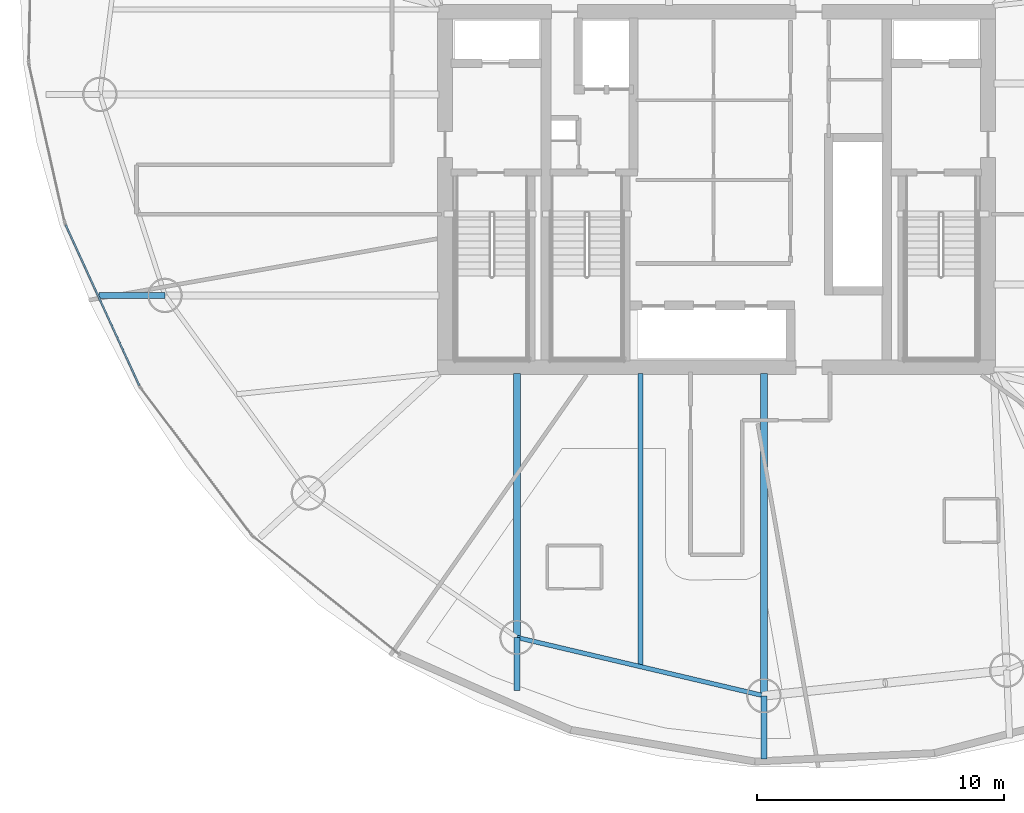
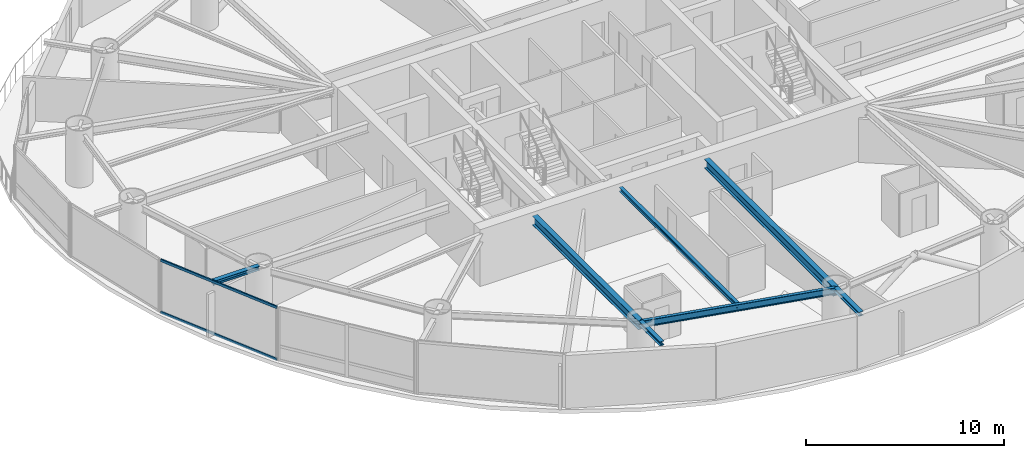
# One storey, part 4 of 20: 7 beams, 2 members, 1 element without a shape of its own.
"""IFC4 building model written with IfcOpenShell, lengths in metres."""

from ifc_helpers import new_model, si_unit, direction, frame, origin, origin_2d, place, context, subcontext, project, spatial, hollow_rectangle, i_section, extrude, material, layer, layer_set, material_profile, profile_set, type_object, element, aggregate, save


model = new_model("IFC4")

# Units and contexts
model_context = context("Model", 3, precision=1e-05, world=origin(), true_north=direction((0.0, 1.0)))
body_context = subcontext(model_context, "Body", "Model", "MODEL_VIEW")
ifc_project = project(units=[si_unit("LENGTHUNIT", "METRE"), si_unit("AREAUNIT", "SQUARE_METRE"), si_unit("VOLUMEUNIT", "CUBIC_METRE"), si_unit("PLANEANGLEUNIT", "RADIAN"), si_unit("MASSUNIT", "GRAM", prefix="KILO")], contexts=[model_context])

# Site, building, storey
site_placement = place(None, origin())
site = spatial("IfcSite", under=ifc_project, at=site_placement, CompositionType="ELEMENT")
building_placement = place(site_placement, origin())
building = spatial("IfcBuilding", under=site, at=building_placement, Name="Bramvorn Convention Spire", CompositionType="ELEMENT")
storey_placement = place(building_placement, frame((0.0, 0.0, 155.300048828125)))
storey = spatial("IfcBuildingStorey", under=building, at=storey_placement, Name="L39", CompositionType="ELEMENT", Elevation=155.300048828125)

# Beams
ifc_material_1 = material(Name="Steel CSA G40.21 Grade 350 (350W)", Category="steel")
ifc_material_profile_1 = material_profile(ifc_material_1, i_section(OverallWidth=0.201904296875, OverallDepth=0.2470703125, WebThickness=0.00732421875, FlangeThickness=0.010986328125, FilletRadius=0.011962890625, at=origin_2d()))
ifc_profile_set_1 = profile_set([ifc_material_profile_1], Name="Steel CSA G40.21 Grade 350 (350W) - W250X49")
beam_type_1 = type_object("IfcBeamType", Name="BM-W250X49", PredefinedType="JOIST", material=ifc_profile_set_1)
beam_1_placement = place(storey_placement, frame((34.920654296875, 18.550048828125, 3.136474609375), z_axis=(0.0, -1.0, 0.0), x_axis=(1.0, 0.0, 0.0)))
element("IfcBeam", 1, at=beam_1_placement, inside=storey, type_object=beam_type_1, Name="L39 composite floor joist 13", PredefinedType="JOIST", context=body_context, shape_type="SweptSolid", body=[
    extrude(i_section(OverallWidth=0.201904296875, OverallDepth=0.2470703125, WebThickness=0.00732421875, FlangeThickness=0.010986328125, FilletRadius=0.011962890625, at=origin_2d()), origin(), (0.0, 0.0, 1.0), 11.8857421875),
])
ifc_material_profile_2 = material_profile(ifc_material_1, i_section(OverallWidth=0.25390625, OverallDepth=0.2529296875, WebThickness=0.008544921875, FlangeThickness=0.01416015625, FilletRadius=0.011962890625, at=origin_2d()))
ifc_profile_set_2 = profile_set([ifc_material_profile_2], Name="Steel CSA G40.21 Grade 350 (350W) - W250X73")
beam_type_2 = type_object("IfcBeamType", Name="BM-W250X73", PredefinedType="BEAM", material=ifc_profile_set_2)
beam_2_placement = place(storey_placement, frame((15.654296875, 21.706787109375, 3.133544921875), z_axis=(-1.0, 0.0, 0.0), x_axis=(0.0, -1.0, 0.0)))
element("IfcBeam", 2, at=beam_2_placement, inside=storey, type_object=beam_type_2, Name="L39 slab-edge cantilever tip beam MC11", PredefinedType="BEAM", context=body_context, shape_type="SweptSolid", body=[
    extrude(i_section(OverallWidth=0.25390625, OverallDepth=0.2529296875, WebThickness=0.008544921875, FlangeThickness=0.01416015625, FilletRadius=0.011962890625, at=origin_2d()), origin(), (0.0, 0.0, 1.0), 2.681884765625),
])
beam_3_placement = place(storey_placement, frame((29.917236328125, 7.845947265625, 3.133544921875), z_axis=(0.0, -1.0, 0.0), x_axis=(1.0, 0.0, 0.0)))
element("IfcBeam", 3, at=beam_3_placement, inside=storey, type_object=beam_type_2, Name="L39 slab-edge cantilever tip beam MC13", PredefinedType="BEAM", context=body_context, shape_type="SweptSolid", body=[
    extrude(i_section(OverallWidth=0.25390625, OverallDepth=0.2529296875, WebThickness=0.008544921875, FlangeThickness=0.01416015625, FilletRadius=0.011962890625, at=origin_2d()), origin(), (0.0, 0.0, 1.0), 2.144287109375),
])
beam_4_placement = place(storey_placement, frame((39.924072265625, 5.482666015625, 3.133544921875), z_axis=(0.0, -1.0, 0.0), x_axis=(1.0, 0.0, 0.0)))
element("IfcBeam", 4, at=beam_4_placement, inside=storey, type_object=beam_type_2, Name="L39 slab-edge cantilever tip beam MC14", PredefinedType="BEAM", context=body_context, shape_type="SweptSolid", body=[
    extrude(i_section(OverallWidth=0.25390625, OverallDepth=0.2529296875, WebThickness=0.008544921875, FlangeThickness=0.01416015625, FilletRadius=0.011962890625, at=origin_2d()), origin(), (0.0, 0.0, 1.0), 2.55224609375),
])
ifc_material_profile_3 = material_profile(ifc_material_1, i_section(OverallWidth=0.180908203125, OverallDepth=0.4169921875, WebThickness=0.010986328125, FlangeThickness=0.018310546875, FilletRadius=0.01611328125, at=origin_2d()))
ifc_profile_set_3 = profile_set([ifc_material_profile_3], Name="Steel CSA G40.21 Grade 350 (350W) - W410X85")
beam_type_3 = type_object("IfcBeamType", Name="BM-W410X85", PredefinedType="JOIST", material=ifc_profile_set_3)
beam_5_placement = place(storey_placement, frame((29.917236328125, 7.845947265625, 3.051513671875), z_axis=(0.97322750491, -0.229843911572, 0.0), x_axis=(0.229843911572, 0.97322750491, 0.0)))
element("IfcBeam", 5, at=beam_5_placement, inside=storey, type_object=beam_type_3, Name="L39 mega-column ring beam 13", PredefinedType="JOIST", context=body_context, shape_type="SweptSolid", body=[
    extrude(i_section(OverallWidth=0.180908203125, OverallDepth=0.4169921875, WebThickness=0.010986328125, FlangeThickness=0.018310546875, FilletRadius=0.01611328125, at=origin_2d()), origin(), (0.0, 0.0, 1.0), 10.2822265625),
])
ifc_material_profile_4 = material_profile(ifc_material_1, i_section(OverallWidth=0.2919921875, OverallDepth=0.551025390625, WebThickness=0.01513671875, FlangeThickness=0.0244140625, FilletRadius=0.01904296875, at=origin_2d()))
ifc_profile_set_4 = profile_set([ifc_material_profile_4], Name="Steel CSA G40.21 Grade 350 (350W) - W530X182")
beam_type_4 = type_object("IfcBeamType", Name="BM-W530X182", PredefinedType="BEAM", material=ifc_profile_set_4)
beam_6_placement = place(storey_placement, frame((29.917236328125, 18.550048828125, 2.984375), z_axis=(0.0, -1.0, 0.0), x_axis=(1.0, 0.0, 0.0)))
element("IfcBeam", 6, at=beam_6_placement, inside=storey, type_object=beam_type_4, Name="L39 radial floor girder MC13", PredefinedType="BEAM", context=body_context, shape_type="SweptSolid", body=[
    extrude(i_section(OverallWidth=0.2919921875, OverallDepth=0.551025390625, WebThickness=0.01513671875, FlangeThickness=0.0244140625, FilletRadius=0.01904296875, at=origin_2d()), origin(), (0.0, 0.0, 1.0), 10.7041015625),
])
beam_7_placement = place(storey_placement, frame((39.924072265625, 18.550048828125, 2.984375), z_axis=(0.0, -1.0, 0.0), x_axis=(1.0, 0.0, 0.0)))
element("IfcBeam", 7, at=beam_7_placement, inside=storey, type_object=beam_type_4, Name="L39 radial floor girder MC14", PredefinedType="BEAM", context=body_context, shape_type="SweptSolid", body=[
    extrude(i_section(OverallWidth=0.2919921875, OverallDepth=0.551025390625, WebThickness=0.01513671875, FlangeThickness=0.0244140625, FilletRadius=0.01904296875, at=origin_2d()), origin(), (0.0, 0.0, 1.0), 13.0673828125),
])

# Curtain wall, members
ifc_material_2 = material(Name="Anodised Bronze Unitised Curtain Wall", Category="aluminium")
ifc_layer = layer(ifc_material_2, 0.179931640625)
ifc_layer_set = layer_set([ifc_layer], Name="Anodised Bronze Unitised Curtain Wall - CW-HTL-FRIT")
curtain_wall_type = type_object("IfcCurtainWallType", Name="CW-HTL-FRIT", PredefinedType="USERDEFINED", material=ifc_layer_set)
curtain_wall_placement = place(storey_placement, origin())
curtain_wall = element("IfcCurtainWall", 8, at=curtain_wall_placement, inside=storey, type_object=curtain_wall_type, Name="L39 fritted glass curtain wall 16", ObjectType="UNITISED CURTAIN WALL", PredefinedType="USERDEFINED")
ifc_material_3 = material(Name="Anodised Bronze Aluminium 6063-T6", Category="aluminium")
ifc_material_profile_5 = material_profile(ifc_material_3, hollow_rectangle(XDim=0.080078125, YDim=0.159912109375, WallThickness=0.00390625, InnerFilletRadius=0.0009765625, OuterFilletRadius=0.00390625, at=origin_2d()))
ifc_profile_set_5 = profile_set([ifc_material_profile_5], Name="Anodised Bronze Aluminium 6063-T6 - CWT80X160")
member_type = type_object("IfcMemberType", Name="CW-TRN-150", PredefinedType="USERDEFINED", material=ifc_profile_set_5)
member_1_placement = place(storey_placement, frame((14.612548828125, 18.055419921875, 0.030029296875), z_axis=(-0.416673465223, 0.909056226742, 0.0), x_axis=(-0.909056226742, -0.416673465223, 0.0)))
member_1 = element("IfcMember", 9, at=member_1_placement, type_object=member_type, Name="CW2 transom 1.1", ObjectType="TRANSOM", PredefinedType="USERDEFINED", context=body_context, shape_type="SweptSolid", body=[
    extrude(hollow_rectangle(XDim=0.080078125, YDim=0.159912109375, WallThickness=0.00390625, InnerFilletRadius=0.0009765625, OuterFilletRadius=0.00390625, at=origin_2d()), origin(), (0.0, 0.0, 1.0), 7.171875),
])
member_2_placement = place(storey_placement, frame((14.612548828125, 18.055419921875, 3.22998046875), z_axis=(-0.416673465223, 0.909056226742, 0.0), x_axis=(-0.909056226742, -0.416673465223, 0.0)))
member_2 = element("IfcMember", 10, at=member_2_placement, type_object=member_type, Name="CW2 transom 1.2", ObjectType="TRANSOM", PredefinedType="USERDEFINED", context=body_context, shape_type="SweptSolid", body=[
    extrude(hollow_rectangle(XDim=0.080078125, YDim=0.159912109375, WallThickness=0.00390625, InnerFilletRadius=0.0009765625, OuterFilletRadius=0.00390625, at=origin_2d()), origin(), (0.0, 0.0, 1.0), 7.171875),
])
aggregate(curtain_wall, [member_1, member_2])

save(model, "model.ifc")
